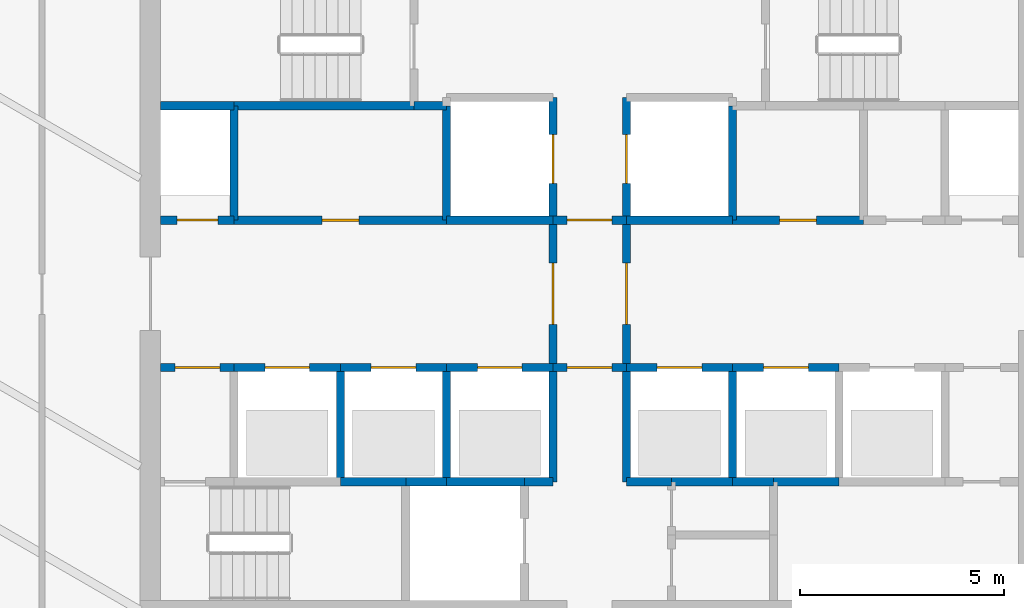
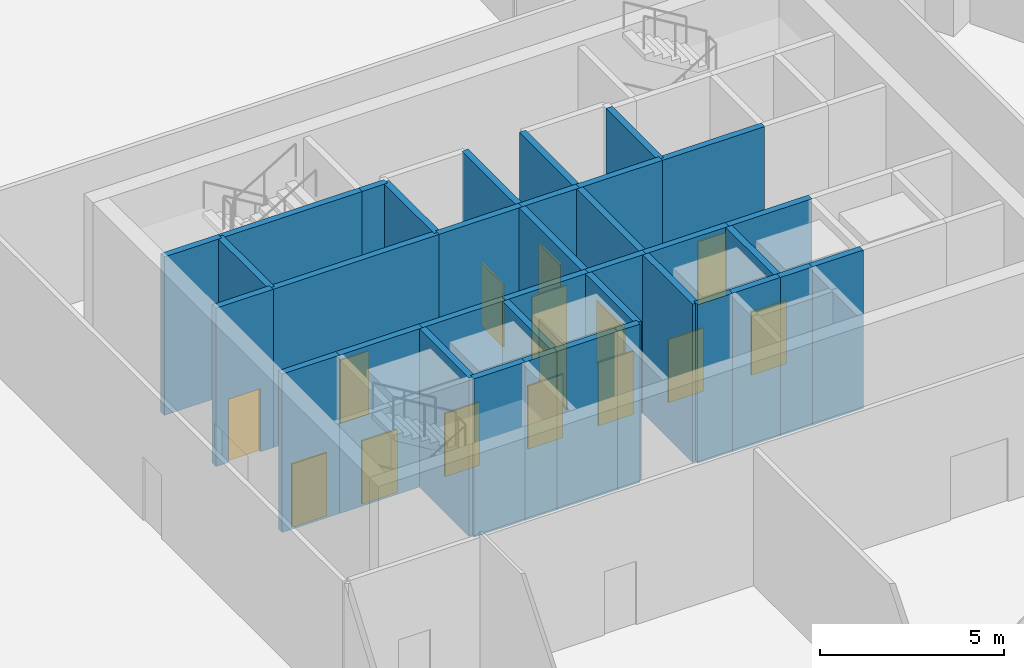
# One storey, part 9 of 19: 36 walls, 15 doors, 15 openings.
"""IFC4 building model written with IfcOpenShell, lengths in metres."""

from ifc_helpers import new_model, si_unit, direction, frame, frame_2d, origin, place, context, subcontext, project, spatial, rectangle, extrude, material, layer, layer_set, type_object, element, fill, save


model = new_model("IFC4")

# Units and contexts
model_context = context("Model", 3, precision=1e-05, world=origin(), true_north=direction((0.0, 1.0)))
body_context = subcontext(model_context, "Body", "Model", "MODEL_VIEW")
ifc_project = project(units=[si_unit("LENGTHUNIT", "METRE"), si_unit("AREAUNIT", "SQUARE_METRE"), si_unit("VOLUMEUNIT", "CUBIC_METRE"), si_unit("PLANEANGLEUNIT", "RADIAN"), si_unit("MASSUNIT", "GRAM", prefix="KILO")], contexts=[model_context])

# Site, building, storey
site_placement = place(None, origin())
site = spatial("IfcSite", under=ifc_project, at=site_placement, CompositionType="ELEMENT")
building_placement = place(site_placement, origin())
building = spatial("IfcBuilding", under=site, at=building_placement, Name="Sierra Prisma Convention Tower", CompositionType="ELEMENT")
storey_placement = place(building_placement, frame((0.0, 0.0, 319.0)))
storey = spatial("IfcBuildingStorey", under=building, at=storey_placement, Name="L73", CompositionType="ELEMENT", Elevation=319.0)

# Wall, opening, door
ifc_material_1 = material(Name="Concrete C30/37", Category="concrete")
ifc_layer = layer(ifc_material_1, 0.199951171875)
ifc_layer_set = layer_set([ifc_layer], Name="Core wall RC 200 C30/37")
wall_type = type_object("IfcWallType", Name="Core wall RC 200 C30/37", PredefinedType="SOLIDWALL", material=ifc_layer_set)
wall_1_placement = place(storey_placement, frame((-10.5, -1.800048828125, 0.0), z_axis=(0.0, 0.0, 1.0), x_axis=(1.0, 0.0, 0.0)))
wall_1 = element("IfcWall", 1, at=wall_1_placement, inside=storey, type_object=wall_type, Name="Core wall L73 2", PredefinedType="SOLIDWALL", context=body_context, shape_type="SweptSolid", body=[
    extrude(rectangle(XDim=1.800048828125, YDim=0.199951171875, at=frame_2d((0.89990234375, 0.0))), origin(), (0.0, 0.0, 1.0), 5.25),
])
opening_1_placement = place(wall_1_placement, frame((0.35009765625, 0.0, 0.0)))
opening_1 = element("IfcOpeningElement", 2, at=opening_1_placement, cuts=wall_1, Name="Opening L73-D012", PredefinedType="OPENING", context=body_context, shape_type="SweptSolid", body=[
    extrude(rectangle(XDim=1.10009765625, YDim=2.10009765625, at=frame_2d((0.550048828125, 1.050048828125))), frame((0.0, 0.10009765625, 0.0), z_axis=(0.0, -1.0, 0.0), x_axis=(1.0, 0.0, 0.0)), (0.0, 0.0, 1.0), 0.199951171875),
])
ifc_material_2 = material(Name="Steel fire door leaf", Category="steel")
door_type_1 = type_object("IfcDoorType", Name="Door 1100x2100 FD90S", OperationType="SINGLE_SWING_LEFT", PredefinedType="DOOR", material=ifc_material_2)
door_1_placement = place(opening_1_placement, origin())
door_1 = element("IfcDoor", 3, at=door_1_placement, inside=storey, type_object=door_type_1, Name="Door L73 21", OperationType="SINGLE_SWING_RIGHT", OverallHeight=2.10009765625, OverallWidth=1.10009765625, PredefinedType="DOOR", context=body_context, shape_type="SweptSolid", body=[
    extrude(rectangle(XDim=1.10009765625, YDim=2.10009765625, at=frame_2d((0.550048828125, 1.050048828125))), frame((0.0, 0.02490234375, 0.0), z_axis=(0.0, -1.0, 0.0), x_axis=(1.0, 0.0, 0.0)), (0.0, 0.0, 1.0), 0.050048828125),
])
fill(opening_1, door_1)

wall_2_placement = place(storey_placement, frame((-8.699951171875, 1.800048828125, 0.0), z_axis=(0.0, 0.0, 1.0), x_axis=(-1.0, 0.0, 0.0)))
wall_2 = element("IfcWall", 4, at=wall_2_placement, inside=storey, type_object=wall_type, Name="Core wall L73 3", PredefinedType="SOLIDWALL", context=body_context, shape_type="SweptSolid", body=[
    extrude(rectangle(XDim=1.800048828125, YDim=0.199951171875, at=frame_2d((0.89990234375, 0.0))), origin(), (0.0, 0.0, 1.0), 5.25),
])
opening_2_placement = place(wall_2_placement, frame((0.39990234375, 0.0, 0.0)))
opening_2 = element("IfcOpeningElement", 5, at=opening_2_placement, cuts=wall_2, Name="Opening L73-D015", PredefinedType="OPENING", context=body_context, shape_type="SweptSolid", body=[
    extrude(rectangle(XDim=1.0, YDim=2.10009765625, at=frame_2d((0.5, 1.050048828125))), frame((0.0, 0.10009765625, 0.0), z_axis=(0.0, -1.0, 0.0), x_axis=(1.0, 0.0, 0.0)), (0.0, 0.0, 1.0), 0.199951171875),
])
ifc_material_3 = material(Name="Steel fire door leaf", Category="steel")
door_type_2 = type_object("IfcDoorType", Name="Door 1000x2100 FD60S", OperationType="SINGLE_SWING_LEFT", PredefinedType="DOOR", material=ifc_material_3)
door_2_placement = place(opening_2_placement, origin())
door_2 = element("IfcDoor", 6, at=door_2_placement, inside=storey, type_object=door_type_2, Name="Door L73 24", OperationType="SINGLE_SWING_RIGHT", OverallHeight=2.10009765625, OverallWidth=1.0, PredefinedType="DOOR", context=body_context, shape_type="SweptSolid", body=[
    extrude(rectangle(XDim=1.0, YDim=2.10009765625, at=frame_2d((0.5, 1.050048828125))), frame((0.0, 0.02490234375, 0.0), z_axis=(0.0, -1.0, 0.0), x_axis=(1.0, 0.0, 0.0)), (0.0, 0.0, 1.0), 0.050048828125),
])
fill(opening_2, door_2)

# Wall
wall_3_placement = place(storey_placement, frame((-8.699951171875, 4.60009765625, 0.0), z_axis=(0.0, 0.0, 1.0), x_axis=(-1.0, 0.0, 0.0)))
element("IfcWall", 7, at=wall_3_placement, inside=storey, type_object=wall_type, Name="Core wall L73 4", PredefinedType="SOLIDWALL", context=body_context, shape_type="SweptSolid", body=[
    extrude(rectangle(XDim=1.800048828125, YDim=0.199951171875, at=frame_2d((0.89990234375, 0.0))), origin(), (0.0, 0.0, 1.0), 5.25),
])

# Wall, opening, door
wall_4_placement = place(storey_placement, frame((-8.699951171875, -1.800048828125, 0.0), z_axis=(0.0, 0.0, 1.0), x_axis=(1.0, 0.0, 0.0)))
wall_4 = element("IfcWall", 8, at=wall_4_placement, inside=storey, type_object=wall_type, Name="Core wall L73 7", PredefinedType="SOLIDWALL", context=body_context, shape_type="SweptSolid", body=[
    extrude(rectangle(XDim=2.599853515625, YDim=0.199951171875, at=frame_2d((1.2998046875, 0.0))), origin(), (0.0, 0.0, 1.0), 5.25),
])
opening_3_placement = place(wall_4_placement, frame((0.75, 0.0, 0.0)))
opening_3 = element("IfcOpeningElement", 9, at=opening_3_placement, cuts=wall_4, Name="Opening L73-D001", PredefinedType="OPENING", context=body_context, shape_type="SweptSolid", body=[
    extrude(rectangle(XDim=1.10009765625, YDim=2.10009765625, at=frame_2d((0.550048828125, 1.050048828125))), frame((0.0, 0.10009765625, 0.0), z_axis=(0.0, -1.0, 0.0), x_axis=(1.0, 0.0, 0.0)), (0.0, 0.0, 1.0), 0.199951171875),
])
ifc_material_4 = material(Name="Steel fire door leaf", Category="steel")
door_type_3 = type_object("IfcDoorType", Name="Door 1100x2100 EI 90 sliding lift landing", OperationType="SLIDING_TO_LEFT", PredefinedType="DOOR", material=ifc_material_4)
door_3_placement = place(opening_3_placement, origin())
door_3 = element("IfcDoor", 10, at=door_3_placement, inside=storey, type_object=door_type_3, Name="Door L73 10", OperationType="SLIDING_TO_LEFT", OverallHeight=2.10009765625, OverallWidth=1.10009765625, PredefinedType="DOOR", context=body_context, shape_type="SweptSolid", body=[
    extrude(rectangle(XDim=1.10009765625, YDim=2.10009765625, at=frame_2d((0.550048828125, 1.050048828125))), frame((0.0, 0.02490234375, 0.0), z_axis=(0.0, -1.0, 0.0), x_axis=(1.0, 0.0, 0.0)), (0.0, 0.0, 1.0), 0.050048828125),
])
fill(opening_3, door_3)

wall_5_placement = place(storey_placement, frame((-8.699951171875, 1.800048828125, 0.0), z_axis=(0.0, 0.0, 1.0), x_axis=(1.0, 0.0, 0.0)))
wall_5 = element("IfcWall", 11, at=wall_5_placement, inside=storey, type_object=wall_type, Name="Core wall L73 8", PredefinedType="SOLIDWALL", context=body_context, shape_type="SweptSolid", body=[
    extrude(rectangle(XDim=5.199951171875, YDim=0.199951171875, at=frame_2d((2.60009765625, 0.0))), origin(), (0.0, 0.0, 1.0), 5.25),
])
opening_4_placement = place(wall_5_placement, frame((2.14990234375, 0.0, 0.0)))
opening_4 = element("IfcOpeningElement", 12, at=opening_4_placement, cuts=wall_5, Name="Opening L73-D022", PredefinedType="OPENING", context=body_context, shape_type="SweptSolid", body=[
    extrude(rectangle(XDim=0.89990234375, YDim=2.10009765625, at=frame_2d((0.449951171875, 1.050048828125))), frame((0.0, 0.10009765625, 0.0), z_axis=(0.0, -1.0, 0.0), x_axis=(1.0, 0.0, 0.0)), (0.0, 0.0, 1.0), 0.199951171875),
])
ifc_material_5 = material(Name="Steel fire door leaf", Category="steel")
door_type_4 = type_object("IfcDoorType", Name="Door 900x2100 FD30S", OperationType="SINGLE_SWING_LEFT", PredefinedType="DOOR", material=ifc_material_5)
door_4_placement = place(opening_4_placement, origin())
door_4 = element("IfcDoor", 13, at=door_4_placement, inside=storey, type_object=door_type_4, Name="Door L73 31", OperationType="SINGLE_SWING_RIGHT", OverallHeight=2.10009765625, OverallWidth=0.89990234375, PredefinedType="DOOR", context=body_context, shape_type="SweptSolid", body=[
    extrude(rectangle(XDim=0.89990234375, YDim=2.10009765625, at=frame_2d((0.449951171875, 1.050048828125))), frame((0.0, 0.02490234375, 0.0), z_axis=(0.0, -1.0, 0.0), x_axis=(1.0, 0.0, 0.0)), (0.0, 0.0, 1.0), 0.050048828125),
])
fill(opening_4, door_4)

# Walls
wall_6_placement = place(storey_placement, frame((-8.699951171875, 4.60009765625, 0.0), z_axis=(0.0, 0.0, 1.0), x_axis=(0.0, -1.0, 0.0)))
element("IfcWall", 14, at=wall_6_placement, inside=storey, type_object=wall_type, Name="Core wall L73 9", PredefinedType="SOLIDWALL", context=body_context, shape_type="SweptSolid", body=[
    extrude(rectangle(XDim=2.800048828125, YDim=0.199951171875, at=frame_2d((1.39990234375, 0.0))), origin(), (0.0, 0.0, 1.0), 5.25),
])
wall_7_placement = place(storey_placement, frame((-4.300048828125, 4.60009765625, 0.0), z_axis=(0.0, 0.0, 1.0), x_axis=(-1.0, 0.0, 0.0)))
element("IfcWall", 15, at=wall_7_placement, inside=storey, type_object=wall_type, Name="Core wall L73 10", PredefinedType="SOLIDWALL", context=body_context, shape_type="SweptSolid", body=[
    extrude(rectangle(XDim=4.39990234375, YDim=0.199951171875, at=frame_2d((2.199951171875, 0.0))), origin(), (0.0, 0.0, 1.0), 5.25),
])
wall_8_placement = place(storey_placement, frame((-6.10009765625, -4.60009765625, 0.0), z_axis=(0.0, 0.0, 1.0), x_axis=(1.0, 0.0, 0.0)))
element("IfcWall", 16, at=wall_8_placement, inside=storey, type_object=wall_type, Name="Core wall L73 11", PredefinedType="SOLIDWALL", context=body_context, shape_type="SweptSolid", body=[
    extrude(rectangle(XDim=1.60009765625, YDim=0.199951171875, at=frame_2d((0.800048828125, 0.0))), origin(), (0.0, 0.0, 1.0), 5.25),
])
wall_9_placement = place(storey_placement, frame((-6.10009765625, -4.60009765625, 0.0), z_axis=(0.0, 0.0, 1.0), x_axis=(0.0, 1.0, 0.0)))
element("IfcWall", 17, at=wall_9_placement, inside=storey, type_object=wall_type, Name="Core wall L73 12", PredefinedType="SOLIDWALL", context=body_context, shape_type="SweptSolid", body=[
    extrude(rectangle(XDim=2.800048828125, YDim=0.199951171875, at=frame_2d((1.39990234375, 0.0))), origin(), (0.0, 0.0, 1.0), 5.25),
])

# Wall, opening, door
wall_10_placement = place(storey_placement, frame((-6.10009765625, -1.800048828125, 0.0), z_axis=(0.0, 0.0, 1.0), x_axis=(1.0, 0.0, 0.0)))
wall_10 = element("IfcWall", 18, at=wall_10_placement, inside=storey, type_object=wall_type, Name="Core wall L73 13", PredefinedType="SOLIDWALL", context=body_context, shape_type="SweptSolid", body=[
    extrude(rectangle(XDim=2.60009765625, YDim=0.199951171875, at=frame_2d((1.300048828125, 0.0))), origin(), (0.0, 0.0, 1.0), 5.25),
])
opening_5_placement = place(wall_10_placement, frame((0.75, 0.0, 0.0)))
opening_5 = element("IfcOpeningElement", 19, at=opening_5_placement, cuts=wall_10, Name="Opening L73-D002", PredefinedType="OPENING", context=body_context, shape_type="SweptSolid", body=[
    extrude(rectangle(XDim=1.10009765625, YDim=2.10009765625, at=frame_2d((0.550048828125, 1.050048828125))), frame((0.0, 0.10009765625, 0.0), z_axis=(0.0, -1.0, 0.0), x_axis=(1.0, 0.0, 0.0)), (0.0, 0.0, 1.0), 0.199951171875),
])
door_5_placement = place(opening_5_placement, origin())
door_5 = element("IfcDoor", 20, at=door_5_placement, inside=storey, type_object=door_type_3, Name="Door L73 11", OperationType="SLIDING_TO_RIGHT", OverallHeight=2.10009765625, OverallWidth=1.10009765625, PredefinedType="DOOR", context=body_context, shape_type="SweptSolid", body=[
    extrude(rectangle(XDim=1.10009765625, YDim=2.10009765625, at=frame_2d((0.550048828125, 1.050048828125))), frame((0.0, 0.02490234375, 0.0), z_axis=(0.0, -1.0, 0.0), x_axis=(1.0, 0.0, 0.0)), (0.0, 0.0, 1.0), 0.050048828125),
])
fill(opening_5, door_5)

# Walls
wall_11_placement = place(storey_placement, frame((-4.5, -4.60009765625, 0.0), z_axis=(0.0, 0.0, 1.0), x_axis=(1.0, 0.0, 0.0)))
element("IfcWall", 21, at=wall_11_placement, inside=storey, type_object=wall_type, Name="Core wall L73 15", PredefinedType="SOLIDWALL", context=body_context, shape_type="SweptSolid", body=[
    extrude(rectangle(XDim=1.0, YDim=0.199951171875, at=frame_2d((0.5, 0.0))), origin(), (0.0, 0.0, 1.0), 5.25),
])
wall_12_placement = place(storey_placement, frame((-3.5, 4.60009765625, 0.0), z_axis=(0.0, 0.0, 1.0), x_axis=(-1.0, 0.0, 0.0)))
element("IfcWall", 22, at=wall_12_placement, inside=storey, type_object=wall_type, Name="Core wall L73 16", PredefinedType="SOLIDWALL", context=body_context, shape_type="SweptSolid", body=[
    extrude(rectangle(XDim=0.800048828125, YDim=0.199951171875, at=frame_2d((0.39990234375, 0.0))), origin(), (0.0, 0.0, 1.0), 5.25),
])
wall_13_placement = place(storey_placement, frame((-3.5, -4.60009765625, 0.0), z_axis=(0.0, 0.0, 1.0), x_axis=(1.0, 0.0, 0.0)))
element("IfcWall", 23, at=wall_13_placement, inside=storey, type_object=wall_type, Name="Core wall L73 18", PredefinedType="SOLIDWALL", context=body_context, shape_type="SweptSolid", body=[
    extrude(rectangle(XDim=1.89990234375, YDim=0.199951171875, at=frame_2d((0.949951171875, 0.0))), origin(), (0.0, 0.0, 1.0), 5.25),
])
wall_14_placement = place(storey_placement, frame((-3.5, -4.60009765625, 0.0), z_axis=(0.0, 0.0, 1.0), x_axis=(0.0, 1.0, 0.0)))
element("IfcWall", 24, at=wall_14_placement, inside=storey, type_object=wall_type, Name="Core wall L73 19", PredefinedType="SOLIDWALL", context=body_context, shape_type="SweptSolid", body=[
    extrude(rectangle(XDim=2.800048828125, YDim=0.199951171875, at=frame_2d((1.39990234375, 0.0))), origin(), (0.0, 0.0, 1.0), 5.25),
])

# Wall, opening, door
wall_15_placement = place(storey_placement, frame((-3.5, -1.800048828125, 0.0), z_axis=(0.0, 0.0, 1.0), x_axis=(1.0, 0.0, 0.0)))
wall_15 = element("IfcWall", 25, at=wall_15_placement, inside=storey, type_object=wall_type, Name="Core wall L73 20", PredefinedType="SOLIDWALL", context=body_context, shape_type="SweptSolid", body=[
    extrude(rectangle(XDim=2.60009765625, YDim=0.199951171875, at=frame_2d((1.300048828125, 0.0))), origin(), (0.0, 0.0, 1.0), 5.25),
])
opening_6_placement = place(wall_15_placement, frame((0.75, 0.0, 0.0)))
opening_6 = element("IfcOpeningElement", 26, at=opening_6_placement, cuts=wall_15, Name="Opening L73-D003", PredefinedType="OPENING", context=body_context, shape_type="SweptSolid", body=[
    extrude(rectangle(XDim=1.10009765625, YDim=2.10009765625, at=frame_2d((0.550048828125, 1.050048828125))), frame((0.0, 0.10009765625, 0.0), z_axis=(0.0, -1.0, 0.0), x_axis=(1.0, 0.0, 0.0)), (0.0, 0.0, 1.0), 0.199951171875),
])
door_6_placement = place(opening_6_placement, origin())
door_6 = element("IfcDoor", 27, at=door_6_placement, inside=storey, type_object=door_type_3, Name="Door L73 12", OperationType="SLIDING_TO_LEFT", OverallHeight=2.10009765625, OverallWidth=1.10009765625, PredefinedType="DOOR", context=body_context, shape_type="SweptSolid", body=[
    extrude(rectangle(XDim=1.10009765625, YDim=2.10009765625, at=frame_2d((0.550048828125, 1.050048828125))), frame((0.0, 0.02490234375, 0.0), z_axis=(0.0, -1.0, 0.0), x_axis=(1.0, 0.0, 0.0)), (0.0, 0.0, 1.0), 0.050048828125),
])
fill(opening_6, door_6)

# Walls
wall_16_placement = place(storey_placement, frame((-0.89990234375, 1.800048828125, 0.0), z_axis=(0.0, 0.0, 1.0), x_axis=(-1.0, 0.0, 0.0)))
element("IfcWall", 28, at=wall_16_placement, inside=storey, type_object=wall_type, Name="Core wall L73 21", PredefinedType="SOLIDWALL", context=body_context, shape_type="SweptSolid", body=[
    extrude(rectangle(XDim=2.60009765625, YDim=0.199951171875, at=frame_2d((1.300048828125, 0.0))), origin(), (0.0, 0.0, 1.0), 5.25),
])
wall_17_placement = place(storey_placement, frame((-3.5, 1.800048828125, 0.0), z_axis=(0.0, 0.0, 1.0), x_axis=(0.0, 1.0, 0.0)))
element("IfcWall", 29, at=wall_17_placement, inside=storey, type_object=wall_type, Name="Core wall L73 22", PredefinedType="SOLIDWALL", context=body_context, shape_type="SweptSolid", body=[
    extrude(rectangle(XDim=2.800048828125, YDim=0.199951171875, at=frame_2d((1.39990234375, 0.0))), origin(), (0.0, 0.0, 1.0), 5.25),
])

# Wall, opening, door
wall_18_placement = place(storey_placement, frame((-0.89990234375, 1.800048828125, 0.0), z_axis=(0.0, 0.0, 1.0), x_axis=(0.0, 1.0, 0.0)))
wall_18 = element("IfcWall", 30, at=wall_18_placement, inside=storey, type_object=wall_type, Name="Core wall L73 23", PredefinedType="SOLIDWALL", context=body_context, shape_type="SweptSolid", body=[
    extrude(rectangle(XDim=3.0, YDim=0.199951171875, at=frame_2d((1.5, 0.0))), origin(), (0.0, 0.0, 1.0), 5.25),
])
opening_7_placement = place(wall_18_placement, frame((0.89990234375, 0.0, 0.0)))
opening_7 = element("IfcOpeningElement", 31, at=opening_7_placement, cuts=wall_18, Name="Opening L73-D007", PredefinedType="OPENING", context=body_context, shape_type="SweptSolid", body=[
    extrude(rectangle(XDim=1.199951171875, YDim=2.10009765625, at=frame_2d((0.60009765625, 1.050048828125))), frame((0.0, 0.10009765625, 0.0), z_axis=(0.0, -1.0, 0.0), x_axis=(1.0, 0.0, 0.0)), (0.0, 0.0, 1.0), 0.199951171875),
])
ifc_material_6 = material(Name="Steel fire door leaf", Category="steel")
door_type_5 = type_object("IfcDoorType", Name="Door 1200x2100 EI 90 sliding lift landing", OperationType="SLIDING_TO_LEFT", PredefinedType="DOOR", material=ifc_material_6)
door_7_placement = place(opening_7_placement, origin())
door_7 = element("IfcDoor", 32, at=door_7_placement, inside=storey, type_object=door_type_5, Name="Door L73 16", OperationType="SLIDING_TO_RIGHT", OverallHeight=2.10009765625, OverallWidth=1.199951171875, PredefinedType="DOOR", context=body_context, shape_type="SweptSolid", body=[
    extrude(rectangle(XDim=1.199951171875, YDim=2.10009765625, at=frame_2d((0.60009765625, 1.050048828125))), frame((0.0, 0.02490234375, 0.0), z_axis=(0.0, -1.0, 0.0), x_axis=(1.0, 0.0, 0.0)), (0.0, 0.0, 1.0), 0.050048828125),
])
fill(opening_7, door_7)

# Walls
wall_19_placement = place(storey_placement, frame((-1.60009765625, -4.60009765625, 0.0), z_axis=(0.0, 0.0, 1.0), x_axis=(1.0, 0.0, 0.0)))
element("IfcWall", 33, at=wall_19_placement, inside=storey, type_object=wall_type, Name="Core wall L73 27", PredefinedType="SOLIDWALL", context=body_context, shape_type="SweptSolid", body=[
    extrude(rectangle(XDim=0.7001953125, YDim=0.199951171875, at=frame_2d((0.35009765625, 0.0))), origin(), (0.0, 0.0, 1.0), 5.25),
])
wall_20_placement = place(storey_placement, frame((-0.89990234375, -4.60009765625, 0.0), z_axis=(0.0, 0.0, 1.0), x_axis=(0.0, 1.0, 0.0)))
element("IfcWall", 34, at=wall_20_placement, inside=storey, type_object=wall_type, Name="Core wall L73 28", PredefinedType="SOLIDWALL", context=body_context, shape_type="SweptSolid", body=[
    extrude(rectangle(XDim=2.800048828125, YDim=0.199951171875, at=frame_2d((1.39990234375, 0.0))), origin(), (0.0, 0.0, 1.0), 5.25),
])

# Wall, opening, door
wall_21_placement = place(storey_placement, frame((-0.89990234375, -1.800048828125, 0.0), z_axis=(0.0, 0.0, 1.0), x_axis=(1.0, 0.0, 0.0)))
wall_21 = element("IfcWall", 35, at=wall_21_placement, inside=storey, type_object=wall_type, Name="Core wall L73 29", PredefinedType="SOLIDWALL", context=body_context, shape_type="SweptSolid", body=[
    extrude(rectangle(XDim=1.7998046875, YDim=0.199951171875, at=frame_2d((0.89990234375, 0.0))), origin(), (0.0, 0.0, 1.0), 5.25),
])
opening_8_placement = place(wall_21_placement, frame((0.35009765625, 0.0, 0.0)))
opening_8 = element("IfcOpeningElement", 36, at=opening_8_placement, cuts=wall_21, Name="Opening L73-D014", PredefinedType="OPENING", context=body_context, shape_type="SweptSolid", body=[
    extrude(rectangle(XDim=1.10009765625, YDim=2.10009765625, at=frame_2d((0.550048828125, 1.050048828125))), frame((0.0, 0.10009765625, 0.0), z_axis=(0.0, -1.0, 0.0), x_axis=(1.0, 0.0, 0.0)), (0.0, 0.0, 1.0), 0.199951171875),
])
ifc_material_7 = material(Name="Steel fire door leaf", Category="steel")
door_type_6 = type_object("IfcDoorType", Name="Door 1100x2100 FD30S", OperationType="SINGLE_SWING_LEFT", PredefinedType="DOOR", material=ifc_material_7)
door_8_placement = place(opening_8_placement, origin())
door_8 = element("IfcDoor", 37, at=door_8_placement, inside=storey, type_object=door_type_6, Name="Door L73 23", OperationType="SINGLE_SWING_LEFT", OverallHeight=2.10009765625, OverallWidth=1.10009765625, PredefinedType="DOOR", context=body_context, shape_type="SweptSolid", body=[
    extrude(rectangle(XDim=1.10009765625, YDim=2.10009765625, at=frame_2d((0.550048828125, 1.050048828125))), frame((0.0, 0.02490234375, 0.0), z_axis=(0.0, -1.0, 0.0), x_axis=(1.0, 0.0, 0.0)), (0.0, 0.0, 1.0), 0.050048828125),
])
fill(opening_8, door_8)

wall_22_placement = place(storey_placement, frame((-0.89990234375, 1.800048828125, 0.0), z_axis=(0.0, 0.0, 1.0), x_axis=(0.0, -1.0, 0.0)))
wall_22 = element("IfcWall", 38, at=wall_22_placement, inside=storey, type_object=wall_type, Name="Core wall L73 30", PredefinedType="SOLIDWALL", context=body_context, shape_type="SweptSolid", body=[
    extrude(rectangle(XDim=3.60009765625, YDim=0.199951171875, at=frame_2d((1.800048828125, 0.0))), origin(), (0.0, 0.0, 1.0), 5.25),
])
opening_9_placement = place(wall_22_placement, frame((1.050048828125, 0.0, 0.0)))
opening_9 = element("IfcOpeningElement", 39, at=opening_9_placement, cuts=wall_22, Name="Opening L73-D010", PredefinedType="OPENING", context=body_context, shape_type="SweptSolid", body=[
    extrude(rectangle(XDim=1.5, YDim=2.10009765625, at=frame_2d((0.75, 1.050048828125))), frame((0.0, 0.10009765625, 0.0), z_axis=(0.0, -1.0, 0.0), x_axis=(1.0, 0.0, 0.0)), (0.0, 0.0, 1.0), 0.199951171875),
])
ifc_material_8 = material(Name="Steel fire door leaf", Category="steel")
door_type_7 = type_object("IfcDoorType", Name="Door 1500x2100 FD30S", OperationType="DOUBLE_DOOR_SINGLE_SWING", PredefinedType="DOOR", material=ifc_material_8)
door_9_placement = place(opening_9_placement, origin())
door_9 = element("IfcDoor", 40, at=door_9_placement, inside=storey, type_object=door_type_7, Name="Door L73 19", OperationType="DOUBLE_DOOR_SINGLE_SWING", OverallHeight=2.10009765625, OverallWidth=1.5, PredefinedType="DOOR", context=body_context, shape_type="SweptSolid", body=[
    extrude(rectangle(XDim=1.5, YDim=2.10009765625, at=frame_2d((0.75, 1.050048828125))), frame((0.0, 0.02490234375, 0.0), z_axis=(0.0, -1.0, 0.0), x_axis=(1.0, 0.0, 0.0)), (0.0, 0.0, 1.0), 0.050048828125),
])
fill(opening_9, door_9)

wall_23_placement = place(storey_placement, frame((0.89990234375, 1.800048828125, 0.0), z_axis=(0.0, 0.0, 1.0), x_axis=(-1.0, 0.0, 0.0)))
wall_23 = element("IfcWall", 41, at=wall_23_placement, inside=storey, type_object=wall_type, Name="Core wall L73 31", PredefinedType="SOLIDWALL", context=body_context, shape_type="SweptSolid", body=[
    extrude(rectangle(XDim=1.7998046875, YDim=0.199951171875, at=frame_2d((0.89990234375, 0.0))), origin(), (0.0, 0.0, 1.0), 5.25),
])
opening_10_placement = place(wall_23_placement, frame((0.35009765625, 0.0, 0.0)))
opening_10 = element("IfcOpeningElement", 42, at=opening_10_placement, cuts=wall_23, Name="Opening L73-D013", PredefinedType="OPENING", context=body_context, shape_type="SweptSolid", body=[
    extrude(rectangle(XDim=1.10009765625, YDim=2.10009765625, at=frame_2d((0.550048828125, 1.050048828125))), frame((0.0, 0.10009765625, 0.0), z_axis=(0.0, -1.0, 0.0), x_axis=(1.0, 0.0, 0.0)), (0.0, 0.0, 1.0), 0.199951171875),
])
ifc_material_9 = material(Name="Steel fire door leaf", Category="steel")
door_type_8 = type_object("IfcDoorType", Name="Door 1100x2100 FD60S", OperationType="SINGLE_SWING_LEFT", PredefinedType="DOOR", material=ifc_material_9)
door_10_placement = place(opening_10_placement, origin())
door_10 = element("IfcDoor", 43, at=door_10_placement, inside=storey, type_object=door_type_8, Name="Door L73 22", OperationType="SINGLE_SWING_RIGHT", OverallHeight=2.10009765625, OverallWidth=1.10009765625, PredefinedType="DOOR", context=body_context, shape_type="SweptSolid", body=[
    extrude(rectangle(XDim=1.10009765625, YDim=2.10009765625, at=frame_2d((0.550048828125, 1.050048828125))), frame((0.0, 0.02490234375, 0.0), z_axis=(0.0, -1.0, 0.0), x_axis=(1.0, 0.0, 0.0)), (0.0, 0.0, 1.0), 0.050048828125),
])
fill(opening_10, door_10)

wall_24_placement = place(storey_placement, frame((0.89990234375, -1.800048828125, 0.0), z_axis=(0.0, 0.0, 1.0), x_axis=(1.0, 0.0, 0.0)))
wall_24 = element("IfcWall", 44, at=wall_24_placement, inside=storey, type_object=wall_type, Name="Core wall L73 32", PredefinedType="SOLIDWALL", context=body_context, shape_type="SweptSolid", body=[
    extrude(rectangle(XDim=2.60009765625, YDim=0.199951171875, at=frame_2d((1.300048828125, 0.0))), origin(), (0.0, 0.0, 1.0), 5.25),
])
opening_11_placement = place(wall_24_placement, frame((0.75, 0.0, 0.0)))
opening_11 = element("IfcOpeningElement", 45, at=opening_11_placement, cuts=wall_24, Name="Opening L73-D004", PredefinedType="OPENING", context=body_context, shape_type="SweptSolid", body=[
    extrude(rectangle(XDim=1.10009765625, YDim=2.10009765625, at=frame_2d((0.550048828125, 1.050048828125))), frame((0.0, 0.10009765625, 0.0), z_axis=(0.0, -1.0, 0.0), x_axis=(1.0, 0.0, 0.0)), (0.0, 0.0, 1.0), 0.199951171875),
])
door_11_placement = place(opening_11_placement, origin())
door_11 = element("IfcDoor", 46, at=door_11_placement, inside=storey, type_object=door_type_3, Name="Door L73 13", OperationType="SLIDING_TO_RIGHT", OverallHeight=2.10009765625, OverallWidth=1.10009765625, PredefinedType="DOOR", context=body_context, shape_type="SweptSolid", body=[
    extrude(rectangle(XDim=1.10009765625, YDim=2.10009765625, at=frame_2d((0.550048828125, 1.050048828125))), frame((0.0, 0.02490234375, 0.0), z_axis=(0.0, -1.0, 0.0), x_axis=(1.0, 0.0, 0.0)), (0.0, 0.0, 1.0), 0.050048828125),
])
fill(opening_11, door_11)

wall_25_placement = place(storey_placement, frame((0.89990234375, -1.800048828125, 0.0), z_axis=(0.0, 0.0, 1.0), x_axis=(0.0, 1.0, 0.0)))
wall_25 = element("IfcWall", 47, at=wall_25_placement, inside=storey, type_object=wall_type, Name="Core wall L73 33", PredefinedType="SOLIDWALL", context=body_context, shape_type="SweptSolid", body=[
    extrude(rectangle(XDim=3.60009765625, YDim=0.199951171875, at=frame_2d((1.800048828125, 0.0))), origin(), (0.0, 0.0, 1.0), 5.25),
])
opening_12_placement = place(wall_25_placement, frame((1.050048828125, 0.0, 0.0)))
opening_12 = element("IfcOpeningElement", 48, at=opening_12_placement, cuts=wall_25, Name="Opening L73-D011", PredefinedType="OPENING", context=body_context, shape_type="SweptSolid", body=[
    extrude(rectangle(XDim=1.5, YDim=2.10009765625, at=frame_2d((0.75, 1.050048828125))), frame((0.0, 0.10009765625, 0.0), z_axis=(0.0, -1.0, 0.0), x_axis=(1.0, 0.0, 0.0)), (0.0, 0.0, 1.0), 0.199951171875),
])
door_12_placement = place(opening_12_placement, origin())
door_12 = element("IfcDoor", 49, at=door_12_placement, inside=storey, type_object=door_type_7, Name="Door L73 20", OperationType="DOUBLE_DOOR_SINGLE_SWING", OverallHeight=2.10009765625, OverallWidth=1.5, PredefinedType="DOOR", context=body_context, shape_type="SweptSolid", body=[
    extrude(rectangle(XDim=1.5, YDim=2.10009765625, at=frame_2d((0.75, 1.050048828125))), frame((0.0, 0.02490234375, 0.0), z_axis=(0.0, -1.0, 0.0), x_axis=(1.0, 0.0, 0.0)), (0.0, 0.0, 1.0), 0.050048828125),
])
fill(opening_12, door_12)

# Walls
wall_26_placement = place(storey_placement, frame((0.89990234375, -1.800048828125, 0.0), z_axis=(0.0, 0.0, 1.0), x_axis=(0.0, -1.0, 0.0)))
element("IfcWall", 50, at=wall_26_placement, inside=storey, type_object=wall_type, Name="Core wall L73 34", PredefinedType="SOLIDWALL", context=body_context, shape_type="SweptSolid", body=[
    extrude(rectangle(XDim=2.800048828125, YDim=0.199951171875, at=frame_2d((1.39990234375, 0.0))), origin(), (0.0, 0.0, 1.0), 5.25),
])
wall_27_placement = place(storey_placement, frame((0.89990234375, -4.60009765625, 0.0), z_axis=(0.0, 0.0, 1.0), x_axis=(1.0, 0.0, 0.0)))
element("IfcWall", 51, at=wall_27_placement, inside=storey, type_object=wall_type, Name="Core wall L73 35", PredefinedType="SOLIDWALL", context=body_context, shape_type="SweptSolid", body=[
    extrude(rectangle(XDim=1.10009765625, YDim=0.199951171875, at=frame_2d((0.550048828125, 0.0))), origin(), (0.0, 0.0, 1.0), 5.25),
])
wall_28_placement = place(storey_placement, frame((3.5, 1.800048828125, 0.0), z_axis=(0.0, 0.0, 1.0), x_axis=(-1.0, 0.0, 0.0)))
element("IfcWall", 52, at=wall_28_placement, inside=storey, type_object=wall_type, Name="Core wall L73 36", PredefinedType="SOLIDWALL", context=body_context, shape_type="SweptSolid", body=[
    extrude(rectangle(XDim=2.60009765625, YDim=0.199951171875, at=frame_2d((1.300048828125, 0.0))), origin(), (0.0, 0.0, 1.0), 5.25),
])

# Wall, opening, door
wall_29_placement = place(storey_placement, frame((0.89990234375, 4.800048828125, 0.0), z_axis=(0.0, 0.0, 1.0), x_axis=(0.0, -1.0, 0.0)))
wall_29 = element("IfcWall", 53, at=wall_29_placement, inside=storey, type_object=wall_type, Name="Core wall L73 39", PredefinedType="SOLIDWALL", context=body_context, shape_type="SweptSolid", body=[
    extrude(rectangle(XDim=3.0, YDim=0.199951171875, at=frame_2d((1.5, 0.0))), origin(), (0.0, 0.0, 1.0), 5.25),
])
opening_13_placement = place(wall_29_placement, frame((0.89990234375, 0.0, 0.0)))
opening_13 = element("IfcOpeningElement", 54, at=opening_13_placement, cuts=wall_29, Name="Opening L73-D008", PredefinedType="OPENING", context=body_context, shape_type="SweptSolid", body=[
    extrude(rectangle(XDim=1.199951171875, YDim=2.10009765625, at=frame_2d((0.60009765625, 1.050048828125))), frame((0.0, 0.10009765625, 0.0), z_axis=(0.0, -1.0, 0.0), x_axis=(1.0, 0.0, 0.0)), (0.0, 0.0, 1.0), 0.199951171875),
])
door_13_placement = place(opening_13_placement, origin())
door_13 = element("IfcDoor", 55, at=door_13_placement, inside=storey, type_object=door_type_5, Name="Door L73 17", OperationType="SLIDING_TO_RIGHT", OverallHeight=2.10009765625, OverallWidth=1.199951171875, PredefinedType="DOOR", context=body_context, shape_type="SweptSolid", body=[
    extrude(rectangle(XDim=1.199951171875, YDim=2.10009765625, at=frame_2d((0.60009765625, 1.050048828125))), frame((0.0, 0.02490234375, 0.0), z_axis=(0.0, -1.0, 0.0), x_axis=(1.0, 0.0, 0.0)), (0.0, 0.0, 1.0), 0.050048828125),
])
fill(opening_13, door_13)

# Walls
wall_30_placement = place(storey_placement, frame((3.5, -4.60009765625, 0.0), z_axis=(0.0, 0.0, 1.0), x_axis=(-1.0, 0.0, 0.0)))
element("IfcWall", 56, at=wall_30_placement, inside=storey, type_object=wall_type, Name="Core wall L73 43", PredefinedType="SOLIDWALL", context=body_context, shape_type="SweptSolid", body=[
    extrude(rectangle(XDim=1.5, YDim=0.199951171875, at=frame_2d((0.75, 0.0))), origin(), (0.0, 0.0, 1.0), 5.25),
])
wall_31_placement = place(storey_placement, frame((4.5, -4.60009765625, 0.0), z_axis=(0.0, 0.0, 1.0), x_axis=(-1.0, 0.0, 0.0)))
element("IfcWall", 57, at=wall_31_placement, inside=storey, type_object=wall_type, Name="Core wall L73 44", PredefinedType="SOLIDWALL", context=body_context, shape_type="SweptSolid", body=[
    extrude(rectangle(XDim=1.0, YDim=0.199951171875, at=frame_2d((0.5, 0.0))), origin(), (0.0, 0.0, 1.0), 5.25),
])
wall_32_placement = place(storey_placement, frame((3.5, -4.60009765625, 0.0), z_axis=(0.0, 0.0, 1.0), x_axis=(0.0, 1.0, 0.0)))
element("IfcWall", 58, at=wall_32_placement, inside=storey, type_object=wall_type, Name="Core wall L73 45", PredefinedType="SOLIDWALL", context=body_context, shape_type="SweptSolid", body=[
    extrude(rectangle(XDim=2.800048828125, YDim=0.199951171875, at=frame_2d((1.39990234375, 0.0))), origin(), (0.0, 0.0, 1.0), 5.25),
])

# Wall, opening, door
wall_33_placement = place(storey_placement, frame((3.5, -1.800048828125, 0.0), z_axis=(0.0, 0.0, 1.0), x_axis=(1.0, 0.0, 0.0)))
wall_33 = element("IfcWall", 59, at=wall_33_placement, inside=storey, type_object=wall_type, Name="Core wall L73 46", PredefinedType="SOLIDWALL", context=body_context, shape_type="SweptSolid", body=[
    extrude(rectangle(XDim=2.60009765625, YDim=0.199951171875, at=frame_2d((1.300048828125, 0.0))), origin(), (0.0, 0.0, 1.0), 5.25),
])
opening_14_placement = place(wall_33_placement, frame((0.75, 0.0, 0.0)))
opening_14 = element("IfcOpeningElement", 60, at=opening_14_placement, cuts=wall_33, Name="Opening L73-D005", PredefinedType="OPENING", context=body_context, shape_type="SweptSolid", body=[
    extrude(rectangle(XDim=1.10009765625, YDim=2.10009765625, at=frame_2d((0.550048828125, 1.050048828125))), frame((0.0, 0.10009765625, 0.0), z_axis=(0.0, -1.0, 0.0), x_axis=(1.0, 0.0, 0.0)), (0.0, 0.0, 1.0), 0.199951171875),
])
door_14_placement = place(opening_14_placement, origin())
door_14 = element("IfcDoor", 61, at=door_14_placement, inside=storey, type_object=door_type_3, Name="Door L73 14", OperationType="SLIDING_TO_RIGHT", OverallHeight=2.10009765625, OverallWidth=1.10009765625, PredefinedType="DOOR", context=body_context, shape_type="SweptSolid", body=[
    extrude(rectangle(XDim=1.10009765625, YDim=2.10009765625, at=frame_2d((0.550048828125, 1.050048828125))), frame((0.0, 0.02490234375, 0.0), z_axis=(0.0, -1.0, 0.0), x_axis=(1.0, 0.0, 0.0)), (0.0, 0.0, 1.0), 0.050048828125),
])
fill(opening_14, door_14)

wall_34_placement = place(storey_placement, frame((3.5, 1.800048828125, 0.0), z_axis=(0.0, 0.0, 1.0), x_axis=(1.0, 0.0, 0.0)))
wall_34 = element("IfcWall", 62, at=wall_34_placement, inside=storey, type_object=wall_type, Name="Core wall L73 47", PredefinedType="SOLIDWALL", context=body_context, shape_type="SweptSolid", body=[
    extrude(rectangle(XDim=3.199951171875, YDim=0.199951171875, at=frame_2d((1.60009765625, 0.0))), origin(), (0.0, 0.0, 1.0), 5.25),
])
opening_15_placement = place(wall_34_placement, frame((1.14990234375, 0.0, 0.0)))
opening_15 = element("IfcOpeningElement", 63, at=opening_15_placement, cuts=wall_34, Name="Opening L73-D020", PredefinedType="OPENING", context=body_context, shape_type="SweptSolid", body=[
    extrude(rectangle(XDim=0.89990234375, YDim=2.10009765625, at=frame_2d((0.449951171875, 1.050048828125))), frame((0.0, 0.10009765625, 0.0), z_axis=(0.0, -1.0, 0.0), x_axis=(1.0, 0.0, 0.0)), (0.0, 0.0, 1.0), 0.199951171875),
])
door_15_placement = place(opening_15_placement, origin())
door_15 = element("IfcDoor", 64, at=door_15_placement, inside=storey, type_object=door_type_4, Name="Door L73 29", OperationType="SINGLE_SWING_LEFT", OverallHeight=2.10009765625, OverallWidth=0.89990234375, PredefinedType="DOOR", context=body_context, shape_type="SweptSolid", body=[
    extrude(rectangle(XDim=0.89990234375, YDim=2.10009765625, at=frame_2d((0.449951171875, 1.050048828125))), frame((0.0, 0.02490234375, 0.0), z_axis=(0.0, -1.0, 0.0), x_axis=(1.0, 0.0, 0.0)), (0.0, 0.0, 1.0), 0.050048828125),
])
fill(opening_15, door_15)

# Walls
wall_35_placement = place(storey_placement, frame((3.5, 4.60009765625, 0.0), z_axis=(0.0, 0.0, 1.0), x_axis=(0.0, -1.0, 0.0)))
element("IfcWall", 65, at=wall_35_placement, inside=storey, type_object=wall_type, Name="Core wall L73 48", PredefinedType="SOLIDWALL", context=body_context, shape_type="SweptSolid", body=[
    extrude(rectangle(XDim=2.800048828125, YDim=0.199951171875, at=frame_2d((1.39990234375, 0.0))), origin(), (0.0, 0.0, 1.0), 5.25),
])
wall_36_placement = place(storey_placement, frame((6.10009765625, -4.60009765625, 0.0), z_axis=(0.0, 0.0, 1.0), x_axis=(-1.0, 0.0, 0.0)))
element("IfcWall", 66, at=wall_36_placement, inside=storey, type_object=wall_type, Name="Core wall L73 54", PredefinedType="SOLIDWALL", context=body_context, shape_type="SweptSolid", body=[
    extrude(rectangle(XDim=1.60009765625, YDim=0.199951171875, at=frame_2d((0.800048828125, 0.0))), origin(), (0.0, 0.0, 1.0), 5.25),
])

save(model, "model.ifc")
